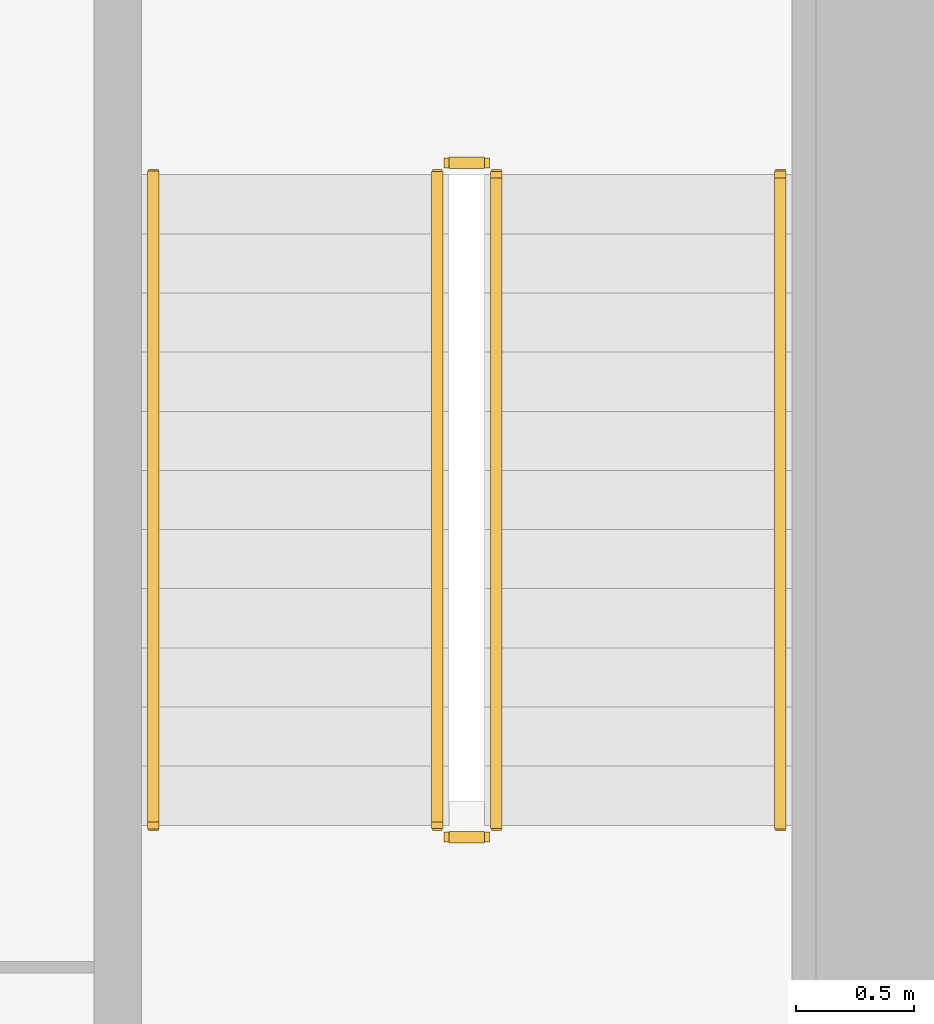
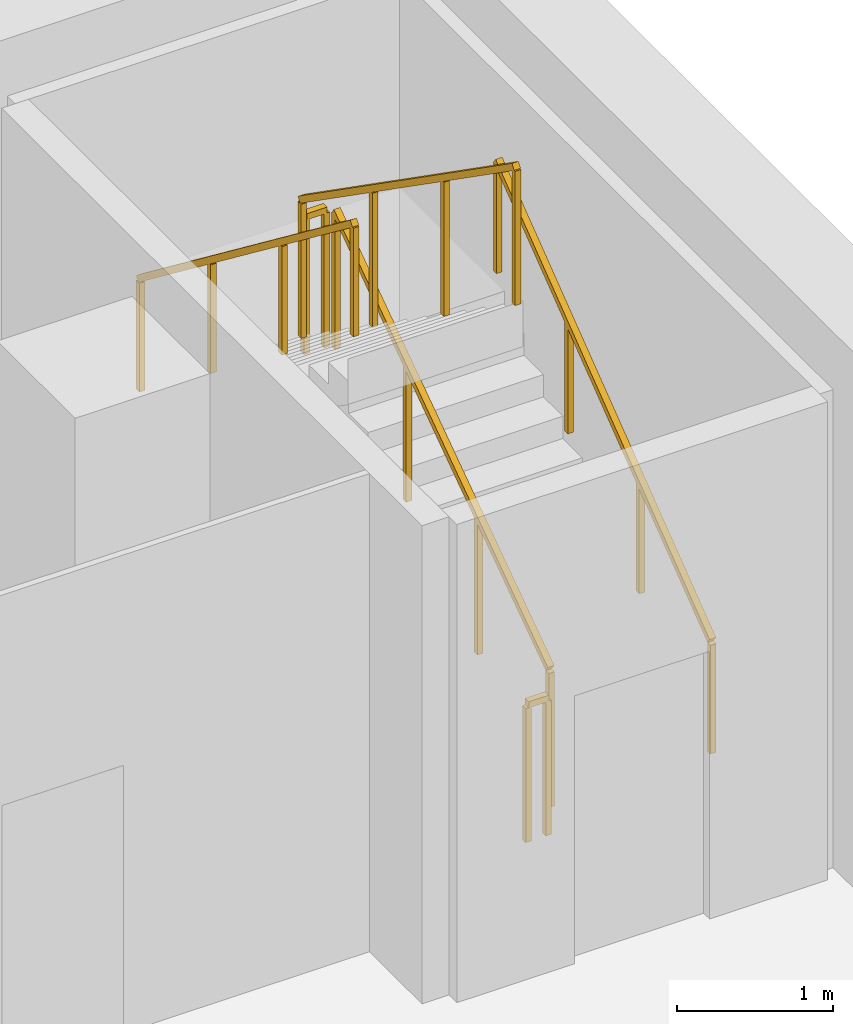
# One storey, part 20 of 20: 6 railings.
"""IFC4 building model written with IfcOpenShell, lengths in metres."""

from ifc_helpers import new_model, si_unit, direction, frame, origin, origin_2d, place, context, subcontext, project, spatial, rectangle, extrude, material, type_object, element, save


model = new_model("IFC4")

# Units and contexts
model_context = context("Model", 3, precision=1e-05, world=origin(), true_north=direction((0.0, 1.0)))
body_context = subcontext(model_context, "Body", "Model", "MODEL_VIEW")
ifc_project = project(units=[si_unit("LENGTHUNIT", "METRE"), si_unit("AREAUNIT", "SQUARE_METRE"), si_unit("VOLUMEUNIT", "CUBIC_METRE"), si_unit("PLANEANGLEUNIT", "RADIAN"), si_unit("MASSUNIT", "GRAM", prefix="KILO")], contexts=[model_context])

# Site, building, storey
site_placement = place(None, origin())
site = spatial("IfcSite", under=ifc_project, at=site_placement, CompositionType="ELEMENT")
building_placement = place(site_placement, origin())
building = spatial("IfcBuilding", under=site, at=building_placement, Name="Beryl Residences", CompositionType="ELEMENT")
storey_placement = place(building_placement, frame((0.0, 0.0, -4.199951171875)))
storey = spatial("IfcBuildingStorey", under=building, at=storey_placement, Name="B1", CompositionType="ELEMENT", Elevation=-4.199951171875)

# Railings
ifc_material_1 = material(Name="Stainless steel balustrade with glass infill", Category="steel")
railing_type_1 = type_object("IfcRailingType", Name="SG1 stair guard 1100 mm", PredefinedType="GUARDRAIL", material=ifc_material_1)
railing_1_placement = place(storey_placement, frame((46.050048828125, 35.199951171875, 0.175048828125)))
element("IfcRailing", 1, at=railing_1_placement, inside=storey, type_object=railing_type_1, Name="B1 BS-3 stair guard 1", PredefinedType="GUARDRAIL", context=body_context, shape_type="SweptSolid", body=[
    extrude(rectangle(XDim=0.048095703125, YDim=0.048095703125, at=origin_2d()), frame((0.0, 0.0, 1.076171875), z_axis=(0.0, 0.819259255306, 0.573423292687), x_axis=(-1.0, 0.0, 0.0)), (0.0, 0.0, 1.0), 3.356689453125),
    extrude(rectangle(XDim=0.0419921875, YDim=0.0419921875, at=origin_2d()), origin(), (0.0, 0.0, 1.0), 1.052001953125),
    extrude(rectangle(XDim=0.0419921875, YDim=0.0419921875, at=origin_2d()), frame((0.0, 0.916748046875, 0.6416015625)), (0.0, 0.0, 1.0), 1.052001953125),
    extrude(rectangle(XDim=0.0419921875, YDim=0.0419921875, at=origin_2d()), frame((0.0, 1.833251953125, 1.283203125)), (0.0, 0.0, 1.0), 1.052001953125),
    extrude(rectangle(XDim=0.0419921875, YDim=0.0419921875, at=origin_2d()), frame((0.0, 2.75, 1.9248046875)), (0.0, 0.0, 1.0), 1.052001953125),
])
railing_2_placement = place(storey_placement, frame((46.0, 38.0, 2.099853515625)))
element("IfcRailing", 2, at=railing_2_placement, inside=storey, type_object=railing_type_1, Name="B1 BS-3 stair guard 2", PredefinedType="GUARDRAIL", context=body_context, shape_type="SweptSolid", body=[
    extrude(rectangle(XDim=0.048095703125, YDim=0.048095703125, at=origin_2d()), frame((0.0, 0.0, 1.076171875), z_axis=(-1.0, 0.0, 0.0), x_axis=(0.0, -1.0, 0.0)), (0.0, 0.0, 1.0), 0.14990234375),
    extrude(rectangle(XDim=0.0419921875, YDim=0.0419921875, at=origin_2d()), origin(), (0.0, 0.0, 1.0), 1.052001953125),
    extrude(rectangle(XDim=0.0419921875, YDim=0.0419921875, at=origin_2d()), frame((-0.14990234375, 0.0, 0.0)), (0.0, 0.0, 1.0), 1.052001953125),
])
railing_3_placement = place(storey_placement, frame((45.800048828125, 37.949951171875, 2.27490234375)))
element("IfcRailing", 3, at=railing_3_placement, inside=storey, type_object=railing_type_1, Name="B1 BS-3 stair guard 3", PredefinedType="GUARDRAIL", context=body_context, shape_type="SweptSolid", body=[
    extrude(rectangle(XDim=0.048095703125, YDim=0.048095703125, at=origin_2d()), frame((0.0, 0.0, 1.076171875), z_axis=(0.0, -0.819225086817, 0.573472106672), x_axis=(1.0, 0.0, 0.0)), (0.0, 0.0, 1.0), 3.35693359375),
    extrude(rectangle(XDim=0.0419921875, YDim=0.0419921875, at=origin_2d()), origin(), (0.0, 0.0, 1.0), 1.052001953125),
    extrude(rectangle(XDim=0.0419921875, YDim=0.0419921875, at=origin_2d()), frame((0.0, -0.916748046875, 0.6416015625)), (0.0, 0.0, 1.0), 1.052001953125),
    extrude(rectangle(XDim=0.0419921875, YDim=0.0419921875, at=origin_2d()), frame((0.0, -1.833251953125, 1.283447265625)), (0.0, 0.0, 1.0), 1.052001953125),
    extrude(rectangle(XDim=0.0419921875, YDim=0.0419921875, at=origin_2d()), frame((0.0, -2.75, 1.925048828125)), (0.0, 0.0, 1.0), 1.052001953125),
])
railing_4_placement = place(storey_placement, frame((46.0, 35.14990234375, 0.0)))
element("IfcRailing", 4, at=railing_4_placement, inside=storey, type_object=railing_type_1, Name="B1 BS-3 stair guard 4", PredefinedType="GUARDRAIL", context=body_context, shape_type="SweptSolid", body=[
    extrude(rectangle(XDim=0.048095703125, YDim=0.048095703125, at=origin_2d()), frame((0.0, 0.0, 1.076171875), z_axis=(-1.0, 0.0, 0.0), x_axis=(0.0, -1.0, 0.0)), (0.0, 0.0, 1.0), 0.14990234375),
    extrude(rectangle(XDim=0.0419921875, YDim=0.0419921875, at=origin_2d()), origin(), (0.0, 0.0, 1.0), 1.052001953125),
    extrude(rectangle(XDim=0.0419921875, YDim=0.0419921875, at=origin_2d()), frame((-0.14990234375, 0.0, 0.0)), (0.0, 0.0, 1.0), 1.052001953125),
])
ifc_material_2 = material(Name="Stainless steel handrail", Category="steel")
railing_type_2 = type_object("IfcRailingType", Name="SRL1 stair handrail 900 mm", PredefinedType="HANDRAIL", material=ifc_material_2)
railing_5_placement = place(storey_placement, frame((47.25, 35.199951171875, 0.175048828125)))
element("IfcRailing", 5, at=railing_5_placement, inside=storey, type_object=railing_type_2, Name="B1 BS-3 stair handrail 1", PredefinedType="HANDRAIL", context=body_context, shape_type="SweptSolid", body=[
    extrude(rectangle(XDim=0.048095703125, YDim=0.048095703125, at=origin_2d()), frame((0.0, 0.0, 0.8759765625), z_axis=(0.0, 0.794788234485, 0.606886861222), x_axis=(-1.0, 0.0, 0.0)), (0.0, 0.0, 1.0), 3.4599609375),
    extrude(rectangle(XDim=0.0419921875, YDim=0.0419921875, at=origin_2d()), origin(), (0.0, 0.0, 1.0), 0.851806640625),
    extrude(rectangle(XDim=0.0419921875, YDim=0.0419921875, at=origin_2d()), frame((0.0, 0.916748046875, 0.699951171875)), (0.0, 0.0, 1.0), 0.851806640625),
    extrude(rectangle(XDim=0.0419921875, YDim=0.0419921875, at=origin_2d()), frame((0.0, 1.833251953125, 1.39990234375)), (0.0, 0.0, 1.0), 0.851806640625),
    extrude(rectangle(XDim=0.0419921875, YDim=0.0419921875, at=origin_2d()), frame((0.0, 2.75, 2.099853515625)), (0.0, 0.0, 1.0), 0.851806640625),
])
railing_6_placement = place(storey_placement, frame((44.60009765625, 37.949951171875, 2.27490234375)))
element("IfcRailing", 6, at=railing_6_placement, inside=storey, type_object=railing_type_2, Name="B1 BS-3 stair handrail 2", PredefinedType="HANDRAIL", context=body_context, shape_type="SweptSolid", body=[
    extrude(rectangle(XDim=0.048095703125, YDim=0.048095703125, at=origin_2d()), frame((0.0, 0.0, 0.8759765625), z_axis=(0.0, -0.794754200304, 0.60693143031), x_axis=(1.0, 0.0, 0.0)), (0.0, 0.0, 1.0), 3.460205078125),
    extrude(rectangle(XDim=0.0419921875, YDim=0.0419921875, at=origin_2d()), origin(), (0.0, 0.0, 1.0), 0.851806640625),
    extrude(rectangle(XDim=0.0419921875, YDim=0.0419921875, at=origin_2d()), frame((0.0, -0.916748046875, 0.699951171875)), (0.0, 0.0, 1.0), 0.851806640625),
    extrude(rectangle(XDim=0.0419921875, YDim=0.0419921875, at=origin_2d()), frame((0.0, -1.833251953125, 1.400146484375)), (0.0, 0.0, 1.0), 0.851806640625),
    extrude(rectangle(XDim=0.0419921875, YDim=0.0419921875, at=origin_2d()), frame((0.0, -2.75, 2.10009765625)), (0.0, 0.0, 1.0), 0.851806640625),
])

save(model, "model.ifc")
